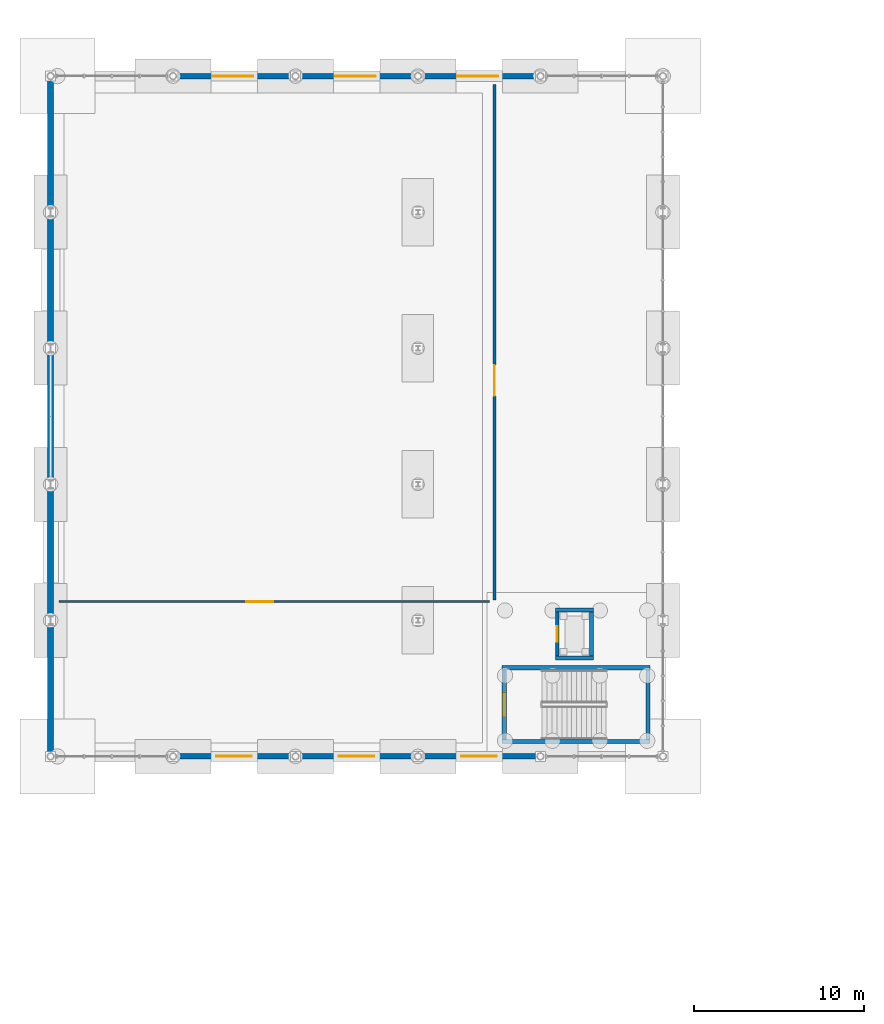
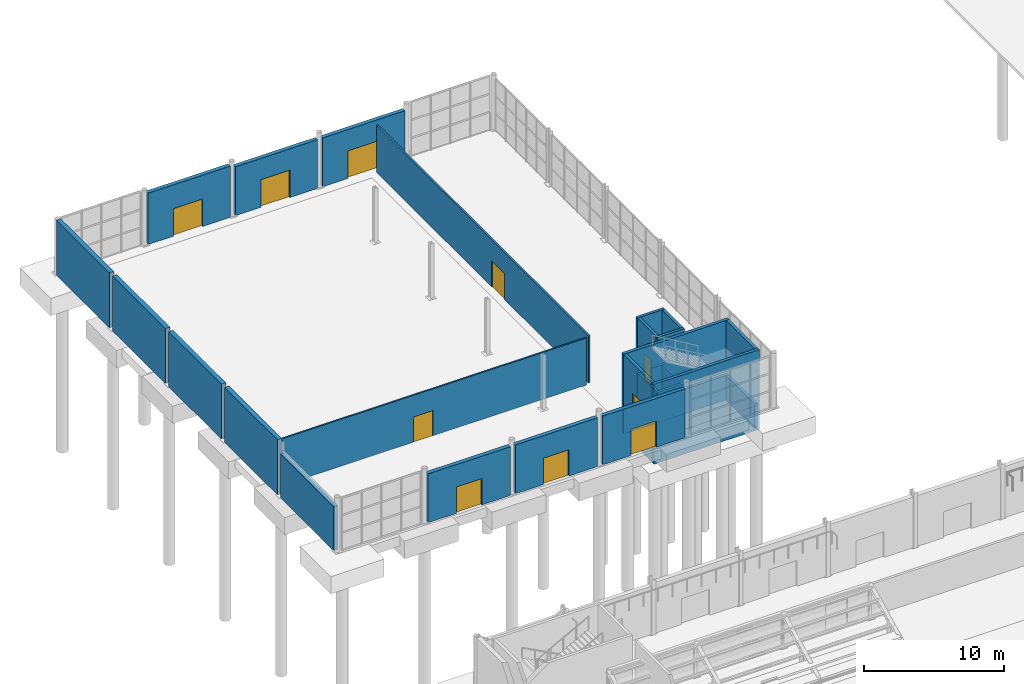
# One storey, part 78 of 101: 29 walls, 10 doors, 10 openings.
"""IFC4 building model written with IfcOpenShell, lengths in metres."""

import ifcopenshell
import ifcopenshell.guid

model = None  # the IFC model being written
_history = None  # IfcOwnerHistory: only IFC2X3 demands one
_inside = {}  # id of a spatial element -> (the spatial element, [elements in it])
_under = {}  # id of a project, library or spatial element -> (it, [spatial elements below it])
_declared = {}  # id of a project -> (the project, [libraries it declares])
_typed = {}  # id of a type object -> (the type object, [elements of that type])
_made_of = {}  # id of a material, layer set ... -> (it, [elements and type objects made of it])


def new_model(schema):
    """Start an empty IFC model of exactly this schema.

    Asked for "IFC4X3", IfcOpenShell would pick the latest addendum, in which some entities
    have other attributes; the version numbers below select the first issue.
    IFC2X3 requires an IfcOwnerHistory on every rooted entity: one is made here for all.
    """
    global model, _history
    if schema == "IFC4X3":
        model = ifcopenshell.file(schema_version=(4, 3, 0, 0))
    else:
        model = ifcopenshell.file(schema=schema)
    _inside.clear()
    _under.clear()
    _declared.clear()
    _typed.clear()
    _made_of.clear()
    _history = None
    if model.schema == "IFC2X3":
        org = make("IfcOrganization", Name="unknown")
        user = make(
            "IfcPersonAndOrganization",
            ThePerson=make("IfcPerson", FamilyName="unknown"),
            TheOrganization=org,
        )
        app = make(
            "IfcApplication",
            ApplicationDeveloper=org,
            Version="unknown",
            ApplicationFullName="unknown",
            ApplicationIdentifier="unknown",
        )
        _history = make(
            "IfcOwnerHistory",
            OwningUser=user,
            OwningApplication=app,
            ChangeAction="ADDED",
            CreationDate=0,
        )
    return model


def make(cls, **values):
    """One entity of the class cls with the attributes given. An attribute that is None is left unset."""
    return model.create_entity(
        cls, **{name: value for name, value in values.items() if value is not None}
    )


def rooted(cls, **values):
    """An entity with a GlobalId (a new one), such as an element, a storey or a relation."""
    return make(cls, GlobalId=ifcopenshell.guid.new(), OwnerHistory=_history, **values)


def si_unit(unit_type, name, prefix=None):
    """IfcSIUnit, for example si_unit("LENGTHUNIT", "METRE", prefix="MILLI")."""
    return make("IfcSIUnit", UnitType=unit_type, Prefix=prefix, Name=name)


def derived_unit(unit_type, elements):
    """IfcDerivedUnit: a product of units, each with its exponent."""
    return make(
        "IfcDerivedUnit",
        Elements=[
            make("IfcDerivedUnitElement", Unit=unit, Exponent=power)
            for unit, power in elements
        ],
        UnitType=unit_type,
    )


def assignment(units):
    """IfcUnitAssignment: the units of a project."""
    return None if units is None else make("IfcUnitAssignment", Units=units)


def point(xyz):
    """IfcCartesianPoint."""
    return None if xyz is None else make("IfcCartesianPoint", Coordinates=xyz)


def direction(xyz):
    """IfcDirection."""
    return None if xyz is None else make("IfcDirection", DirectionRatios=xyz)


def frame(location, z_axis=None, x_axis=None):
    """IfcAxis2Placement3D, a coordinate frame: its origin and axes. An axis left out is left unset."""
    return make(
        "IfcAxis2Placement3D",
        Location=point(location),
        Axis=direction(z_axis),
        RefDirection=direction(x_axis),
    )


def frame_2d(location, x_axis=None):
    """IfcAxis2Placement2D, a coordinate frame in the plane: its origin and x axis."""
    return make(
        "IfcAxis2Placement2D", Location=point(location), RefDirection=direction(x_axis)
    )


def origin():
    """The frame at (0, 0, 0) with its axes left unset."""
    return frame((0.0, 0.0, 0.0))


def place(relative_to, where):
    """IfcLocalPlacement: puts the frame where relative to a parent placement (None: the world)."""
    return make(
        "IfcLocalPlacement", PlacementRelTo=relative_to, RelativePlacement=where
    )


def context(
    kind, dimensions, precision=None, world=None, true_north=None, identifier=None
):
    """IfcGeometricRepresentationContext, for example the 3D "Model" context."""
    return make(
        "IfcGeometricRepresentationContext",
        ContextIdentifier=identifier,
        ContextType=kind,
        CoordinateSpaceDimension=dimensions,
        Precision=precision,
        WorldCoordinateSystem=world,
        TrueNorth=true_north,
    )


def subcontext(parent, identifier, kind, view, scale=None):
    """IfcGeometricRepresentationSubContext, for example "Body" below "Model"."""
    return make(
        "IfcGeometricRepresentationSubContext",
        ContextIdentifier=identifier,
        ContextType=kind,
        ParentContext=parent,
        TargetScale=scale,
        TargetView=view,
    )


def project(units=None, contexts=None):
    """IfcProject with its units and contexts."""
    return rooted(
        "IfcProject",
        Name="project",
        RepresentationContexts=contexts,
        UnitsInContext=assignment(units),
    )


def spatial(cls, under=None, at=None, **own):
    """A site, building, storey or space (cls), placed at a placement, below another one or the project."""
    s = rooted(cls, ObjectPlacement=at, **own)
    if under is not None:
        _under.setdefault(under.id(), (under, []))[1].append(s)
    return s


def profile(cls, at=None, kind="AREA", **sizes):
    """A parametric profile (cls). Its sizes go by their IFC names, for example OverallWidth=200.0."""
    return make(cls, ProfileType=kind, Position=at, **sizes)


def rectangle(**sizes):
    """IfcRectangleProfileDef."""
    return profile("IfcRectangleProfileDef", **sizes)


def extrude(swept, where, along, depth):
    """IfcExtrudedAreaSolid: the profile swept, set in the frame where, extruded along a direction by depth."""
    return make(
        "IfcExtrudedAreaSolid",
        SweptArea=swept,
        Position=where,
        ExtrudedDirection=direction(along),
        Depth=depth,
    )


def shape(context_of_items, identifier, shape_type, items):
    """IfcShapeRepresentation: the items that make up one representation, for example the "Body"."""
    return make(
        "IfcShapeRepresentation",
        ContextOfItems=context_of_items,
        RepresentationIdentifier=identifier,
        RepresentationType=shape_type,
        Items=items,
    )


def material(Name=None, Category=None):
    """IfcMaterial."""
    return make("IfcMaterial", Name=Name, Category=Category)


def layer(
    of_material, thickness, ventilated=None, Name=None, Category=None, Priority=None
):
    """IfcMaterialLayer: one layer of a wall or slab, of a material (None: an air gap)."""
    return make(
        "IfcMaterialLayer",
        Material=of_material,
        LayerThickness=thickness,
        IsVentilated=ventilated,
        Name=Name,
        Category=Category,
        Priority=Priority,
    )


def layer_set(layers, Name=None):
    """IfcMaterialLayerSet."""
    return make("IfcMaterialLayerSet", MaterialLayers=layers, LayerSetName=Name)


def made_of(thing, what):
    """Note that an element or type object is made of a material, layer set ...; save() writes the relation."""
    if what is not None:
        _made_of.setdefault(what.id(), (what, []))[1].append(thing)
    return thing


def type_object(cls, material=None, **own):
    """A type object (cls), such as IfcWallType, which elements share."""
    return made_of(rooted(cls, **own), material)


def element(
    cls,
    number,
    at=None,
    inside=None,
    cuts=None,
    type_object=None,
    material=None,
    context=None,
    identifier="Body",
    shape_type=None,
    held_by="IfcProductDefinitionShape",
    body=None,
    shapes=None,
    **own,
):
    """One element of the class cls, such as IfcWall. Its Tag is "e" and its number.

    at: its placement. inside: the storey or other place that contains it. cuts: it is an
    opening in that element (IfcRelVoidsElement). A single representation is given by context,
    identifier, shape_type and body (its items); several are given by shapes. held_by: the class
    of the entity that holds the representations. save() writes the other relations.
    """
    e = rooted(cls, Tag="e%d" % number, ObjectPlacement=at, **own)
    if body is not None:
        shapes = [shape(context, identifier, shape_type, body)]
    if shapes is not None:
        e.Representation = make(held_by, Representations=shapes)
    if inside is not None:
        _inside.setdefault(inside.id(), (inside, []))[1].append(e)
    if cuts is not None:
        rooted(
            "IfcRelVoidsElement", RelatingBuildingElement=cuts, RelatedOpeningElement=e
        )
    if type_object is not None:
        _typed.setdefault(type_object.id(), (type_object, []))[1].append(e)
    return made_of(e, material)


def fill(opening, filler):
    """IfcRelFillsElement: the door or window that sits in an opening."""
    return rooted(
        "IfcRelFillsElement",
        RelatingOpeningElement=opening,
        RelatedBuildingElement=filler,
    )


def aggregate(whole, parts):
    """IfcRelAggregates: a whole, such as a stair, and the parts it consists of."""
    return rooted("IfcRelAggregates", RelatingObject=whole, RelatedObjects=parts)


def save(model, path):
    """Write the relations noted so far, then the file.

    IfcRelAggregates (storeys below a building ...), IfcRelContainedInSpatialStructure (elements
    in a storey), IfcRelDefinesByType, IfcRelAssociatesMaterial and IfcRelDeclares: one each for
    every whole, place, type object, material and project.
    """
    for whole, parts in _under.values():
        aggregate(whole, parts)
    for where, things in _inside.values():
        rooted(
            "IfcRelContainedInSpatialStructure",
            RelatedElements=things,
            RelatingStructure=where,
        )
    for kind, things in _typed.values():
        rooted("IfcRelDefinesByType", RelatedObjects=things, RelatingType=kind)
    for what, things in _made_of.values():
        rooted("IfcRelAssociatesMaterial", RelatedObjects=things, RelatingMaterial=what)
    for by, libraries in _declared.values():
        rooted("IfcRelDeclares", RelatingContext=by, RelatedDefinitions=libraries)
    model.write(path)


model = new_model("IFC4")

# Units and contexts
model_context = context("Model", 3, precision=1e-05, world=origin(), true_north=direction((0.0, 1.0)))
body_context = subcontext(model_context, "Body", "Model", "MODEL_VIEW")
ifc_project = project(units=[si_unit("LENGTHUNIT", "METRE"), si_unit("AREAUNIT", "SQUARE_METRE"), si_unit("VOLUMEUNIT", "CUBIC_METRE"), si_unit("PLANEANGLEUNIT", "RADIAN"), si_unit("MASSUNIT", "GRAM", prefix="KILO"), derived_unit("THERMALTRANSMITTANCEUNIT", [(si_unit("POWERUNIT", "WATT"), 1), (si_unit("LENGTHUNIT", "METRE"), -2), (si_unit("THERMODYNAMICTEMPERATUREUNIT", "KELVIN"), -1)])], contexts=[model_context])

# Site, building, storey
site_placement = place(None, origin())
site = spatial("IfcSite", under=ifc_project, at=site_placement, CompositionType="ELEMENT")
building_placement = place(site_placement, origin())
building = spatial("IfcBuilding", under=site, at=building_placement, Name="Keldorne Ridge Multi-Sports Centre", CompositionType="ELEMENT")
storey_placement = place(building_placement, origin())
storey = spatial("IfcBuildingStorey", under=building, at=storey_placement, Name="L00", CompositionType="ELEMENT", Elevation=0.0)

# Wall, opening, door
ifc_material_1 = material(Name="Precast concrete C40/50", Category="concrete")
ifc_layer_1 = layer(ifc_material_1, 0.320068359375)
ifc_layer_set_1 = layer_set([ifc_layer_1], Name="Precast concrete C40/50")
wall_type_1 = type_object("IfcWallType", Name="WAL-PR-W1", PredefinedType="STANDARD", material=ifc_layer_set_1)
wall_1_placement = place(storey_placement, frame((13.4052734375, 74.0, 0.0), z_axis=(0.0, 0.0, 1.0), x_axis=(1.0, 0.0, 0.0)))
wall_1 = element("IfcWall", 1, at=wall_1_placement, inside=storey, type_object=wall_type_1, Name="Climbing Hall south courtyard wall 2", PredefinedType="STANDARD", context=body_context, shape_type="SweptSolid", body=[
    extrude(rectangle(XDim=6.78955078125, YDim=0.320068359375, at=frame_2d((3.394775390625, 0.0))), origin(), (0.0, 0.0, 1.0), 4.260009765625),
])
opening_1_placement = place(wall_1_placement, frame((2.334716796875, 0.0, 0.0)))
opening_1 = element("IfcOpeningElement", 2, at=opening_1_placement, cuts=wall_1, Name="Opening ED-08", PredefinedType="OPENING", context=body_context, shape_type="SweptSolid", body=[
    extrude(rectangle(XDim=2.10009765625, YDim=2.300048828125, at=frame_2d((1.050048828125, 1.14990234375))), frame((0.0, 0.169921875, 0.0), z_axis=(0.0, -1.0, 0.0), x_axis=(1.0, 0.0, 0.0)), (0.0, 0.0, 1.0), 0.340087890625),
])
ifc_material_2 = material(Name="Galvanized steel", Category="steel")
door_type_1 = type_object("IfcDoorType", Name="DR-ED-08", OperationType="NOTDEFINED", PredefinedType="DOOR", material=ifc_material_2)
door_1_placement = place(opening_1_placement, origin())
door_1 = element("IfcDoor", 3, at=door_1_placement, inside=storey, type_object=door_type_1, Name="Climbing courtyard double exit door 2", OperationType="DOUBLE_DOOR_SINGLE_SWING", OverallHeight=2.300048828125, OverallWidth=2.10009765625, PredefinedType="DOOR", context=body_context, shape_type="SweptSolid", body=[
    extrude(rectangle(XDim=2.10009765625, YDim=2.300048828125, at=frame_2d((1.050048828125, 1.14990234375))), frame((0.0, 0.02490234375, 0.0), z_axis=(0.0, -1.0, 0.0), x_axis=(1.0, 0.0, 0.0)), (0.0, 0.0, 1.0), 0.050048828125),
])
fill(opening_1, door_1)

wall_2_placement = place(storey_placement, frame((20.19482421875, 114.0, 0.0), z_axis=(0.0, 0.0, 1.0), x_axis=(-1.0, 0.0, 0.0)))
wall_2 = element("IfcWall", 4, at=wall_2_placement, inside=storey, type_object=wall_type_1, Name="Climbing Hall north entrance wall 2", PredefinedType="STANDARD", context=body_context, shape_type="SweptSolid", body=[
    extrude(rectangle(XDim=6.78955078125, YDim=0.320068359375, at=frame_2d((3.394775390625, 0.0))), origin(), (0.0, 0.0, 1.0), 4.47998046875),
])
opening_2_placement = place(wall_2_placement, frame((2.284912109375, 0.0, 0.0)))
opening_2 = element("IfcOpeningElement", 5, at=opening_2_placement, cuts=wall_2, Name="Opening ED-01", PredefinedType="OPENING", context=body_context, shape_type="SweptSolid", body=[
    extrude(rectangle(XDim=2.39990234375, YDim=2.39990234375, at=frame_2d((1.199951171875, 1.199951171875))), frame((0.0, 0.169921875, 0.0), z_axis=(0.0, -1.0, 0.0), x_axis=(1.0, 0.0, 0.0)), (0.0, 0.0, 1.0), 0.340087890625),
])
ifc_material_3 = material(Name="Anodized aluminium", Category="aluminium")
door_type_2 = type_object("IfcDoorType", Name="DR-ED-01", OperationType="NOTDEFINED", PredefinedType="DOOR", material=ifc_material_3)
door_2_placement = place(opening_2_placement, origin())
door_2 = element("IfcDoor", 6, at=door_2_placement, inside=storey, type_object=door_type_2, Name="Climbing north double exit door 2", OperationType="DOUBLE_DOOR_SINGLE_SWING", OverallHeight=2.39990234375, OverallWidth=2.39990234375, PredefinedType="DOOR", context=body_context, shape_type="SweptSolid", body=[
    extrude(rectangle(XDim=2.39990234375, YDim=2.39990234375, at=frame_2d((1.199951171875, 1.199951171875))), frame((0.0, 0.02490234375, 0.0), z_axis=(0.0, -1.0, 0.0), x_axis=(1.0, 0.0, 0.0)), (0.0, 0.0, 1.0), 0.050048828125),
])
fill(opening_2, door_2)

wall_3_placement = place(storey_placement, frame((20.605224609375, 74.0, 0.0), z_axis=(0.0, 0.0, 1.0), x_axis=(1.0, 0.0, 0.0)))
wall_3 = element("IfcWall", 7, at=wall_3_placement, inside=storey, type_object=wall_type_1, Name="Climbing Hall south courtyard wall 3", PredefinedType="STANDARD", context=body_context, shape_type="SweptSolid", body=[
    extrude(rectangle(XDim=6.78955078125, YDim=0.320068359375, at=frame_2d((3.394775390625, 0.0))), origin(), (0.0, 0.0, 1.0), 4.260009765625),
])
opening_3_placement = place(wall_3_placement, frame((2.334716796875, 0.0, 0.0)))
opening_3 = element("IfcOpeningElement", 8, at=opening_3_placement, cuts=wall_3, Name="Opening ED-08", PredefinedType="OPENING", context=body_context, shape_type="SweptSolid", body=[
    extrude(rectangle(XDim=2.10009765625, YDim=2.300048828125, at=frame_2d((1.050048828125, 1.14990234375))), frame((0.0, 0.169921875, 0.0), z_axis=(0.0, -1.0, 0.0), x_axis=(1.0, 0.0, 0.0)), (0.0, 0.0, 1.0), 0.340087890625),
])
door_3_placement = place(opening_3_placement, origin())
door_3 = element("IfcDoor", 9, at=door_3_placement, inside=storey, type_object=door_type_1, Name="Climbing courtyard double exit door 3", OperationType="DOUBLE_DOOR_SINGLE_SWING", OverallHeight=2.300048828125, OverallWidth=2.10009765625, PredefinedType="DOOR", context=body_context, shape_type="SweptSolid", body=[
    extrude(rectangle(XDim=2.10009765625, YDim=2.300048828125, at=frame_2d((1.050048828125, 1.14990234375))), frame((0.0, 0.02490234375, 0.0), z_axis=(0.0, -1.0, 0.0), x_axis=(1.0, 0.0, 0.0)), (0.0, 0.0, 1.0), 0.050048828125),
])
fill(opening_3, door_3)

wall_4_placement = place(storey_placement, frame((27.394775390625, 114.0, 0.0), z_axis=(0.0, 0.0, 1.0), x_axis=(-1.0, 0.0, 0.0)))
wall_4 = element("IfcWall", 10, at=wall_4_placement, inside=storey, type_object=wall_type_1, Name="Climbing Hall north entrance wall 3", PredefinedType="STANDARD", context=body_context, shape_type="SweptSolid", body=[
    extrude(rectangle(XDim=6.78955078125, YDim=0.320068359375, at=frame_2d((3.394775390625, 0.0))), origin(), (0.0, 0.0, 1.0), 4.260009765625),
])
opening_4_placement = place(wall_4_placement, frame((2.284912109375, 0.0, 0.0)))
opening_4 = element("IfcOpeningElement", 11, at=opening_4_placement, cuts=wall_4, Name="Opening ED-01", PredefinedType="OPENING", context=body_context, shape_type="SweptSolid", body=[
    extrude(rectangle(XDim=2.39990234375, YDim=2.39990234375, at=frame_2d((1.199951171875, 1.199951171875))), frame((0.0, 0.169921875, 0.0), z_axis=(0.0, -1.0, 0.0), x_axis=(1.0, 0.0, 0.0)), (0.0, 0.0, 1.0), 0.340087890625),
])
door_4_placement = place(opening_4_placement, origin())
door_4 = element("IfcDoor", 12, at=door_4_placement, inside=storey, type_object=door_type_2, Name="Climbing north double exit door 3", OperationType="DOUBLE_DOOR_SINGLE_SWING", OverallHeight=2.39990234375, OverallWidth=2.39990234375, PredefinedType="DOOR", context=body_context, shape_type="SweptSolid", body=[
    extrude(rectangle(XDim=2.39990234375, YDim=2.39990234375, at=frame_2d((1.199951171875, 1.199951171875))), frame((0.0, 0.02490234375, 0.0), z_axis=(0.0, -1.0, 0.0), x_axis=(1.0, 0.0, 0.0)), (0.0, 0.0, 1.0), 0.050048828125),
])
fill(opening_4, door_4)

wall_5_placement = place(storey_placement, frame((27.80517578125, 74.0, 0.0), z_axis=(0.0, 0.0, 1.0), x_axis=(1.0, 0.0, 0.0)))
wall_5 = element("IfcWall", 13, at=wall_5_placement, inside=storey, type_object=wall_type_1, Name="Climbing Hall south courtyard wall 4", PredefinedType="STANDARD", context=body_context, shape_type="SweptSolid", body=[
    extrude(rectangle(XDim=6.78955078125, YDim=0.320068359375, at=frame_2d((3.394775390625, 0.0))), origin(), (0.0, 0.0, 1.0), 4.260009765625),
])
opening_5_placement = place(wall_5_placement, frame((2.334716796875, 0.0, 0.0)))
opening_5 = element("IfcOpeningElement", 14, at=opening_5_placement, cuts=wall_5, Name="Opening ED-08", PredefinedType="OPENING", context=body_context, shape_type="SweptSolid", body=[
    extrude(rectangle(XDim=2.10009765625, YDim=2.300048828125, at=frame_2d((1.050048828125, 1.14990234375))), frame((0.0, 0.169921875, 0.0), z_axis=(0.0, -1.0, 0.0), x_axis=(1.0, 0.0, 0.0)), (0.0, 0.0, 1.0), 0.340087890625),
])
door_5_placement = place(opening_5_placement, origin())
door_5 = element("IfcDoor", 15, at=door_5_placement, inside=storey, type_object=door_type_1, Name="Climbing courtyard double exit door 4", OperationType="DOUBLE_DOOR_SINGLE_SWING", OverallHeight=2.300048828125, OverallWidth=2.10009765625, PredefinedType="DOOR", context=body_context, shape_type="SweptSolid", body=[
    extrude(rectangle(XDim=2.10009765625, YDim=2.300048828125, at=frame_2d((1.050048828125, 1.14990234375))), frame((0.0, 0.02490234375, 0.0), z_axis=(0.0, -1.0, 0.0), x_axis=(1.0, 0.0, 0.0)), (0.0, 0.0, 1.0), 0.050048828125),
])
fill(opening_5, door_5)

wall_6_placement = place(storey_placement, frame((34.5947265625, 114.0, 0.0), z_axis=(0.0, 0.0, 1.0), x_axis=(-1.0, 0.0, 0.0)))
wall_6 = element("IfcWall", 16, at=wall_6_placement, inside=storey, type_object=wall_type_1, Name="Climbing Hall north entrance wall 4", PredefinedType="STANDARD", context=body_context, shape_type="SweptSolid", body=[
    extrude(rectangle(XDim=6.78955078125, YDim=0.320068359375, at=frame_2d((3.394775390625, 0.0))), origin(), (0.0, 0.0, 1.0), 4.260009765625),
])
opening_6_placement = place(wall_6_placement, frame((2.284912109375, 0.0, 0.0)))
opening_6 = element("IfcOpeningElement", 17, at=opening_6_placement, cuts=wall_6, Name="Opening ED-01", PredefinedType="OPENING", context=body_context, shape_type="SweptSolid", body=[
    extrude(rectangle(XDim=2.39990234375, YDim=2.39990234375, at=frame_2d((1.199951171875, 1.199951171875))), frame((0.0, 0.169921875, 0.0), z_axis=(0.0, -1.0, 0.0), x_axis=(1.0, 0.0, 0.0)), (0.0, 0.0, 1.0), 0.340087890625),
])
door_6_placement = place(opening_6_placement, origin())
door_6 = element("IfcDoor", 18, at=door_6_placement, inside=storey, type_object=door_type_2, Name="Climbing north double exit door 4", OperationType="DOUBLE_DOOR_SINGLE_SWING", OverallHeight=2.39990234375, OverallWidth=2.39990234375, PredefinedType="DOOR", context=body_context, shape_type="SweptSolid", body=[
    extrude(rectangle(XDim=2.39990234375, YDim=2.39990234375, at=frame_2d((1.199951171875, 1.199951171875))), frame((0.0, 0.02490234375, 0.0), z_axis=(0.0, -1.0, 0.0), x_axis=(1.0, 0.0, 0.0)), (0.0, 0.0, 1.0), 0.050048828125),
])
fill(opening_6, door_6)

# Walls
ifc_layer_2 = layer(ifc_material_1, 0.360107421875)
ifc_layer_set_2 = layer_set([ifc_layer_2], Name="Precast concrete C40/50")
wall_type_2 = type_object("IfcWallType", Name="WAL-PR-W2", PredefinedType="STANDARD", material=ifc_layer_set_2)
wall_7_placement = place(storey_placement, frame((6.0, 81.77294921875, 0.0), z_axis=(0.0, 0.0, 1.0), x_axis=(0.0, -1.0, 0.0)))
element("IfcWall", 19, at=wall_7_placement, inside=storey, type_object=wall_type_2, Name="Climbing Hall west climbing wall L00.1", PredefinedType="STANDARD", context=body_context, shape_type="SweptSolid", body=[
    extrude(rectangle(XDim=7.56787109375, YDim=0.360107421875, at=frame_2d((3.783935546875, 0.0))), origin(), (0.0, 0.0, 1.0), 3.830078125),
])
for number, where, z_axis, x_axis, name in (
    (20, (6.0, 89.77294921875, 0.0), (0.0, 0.0, 1.0), (0.0, -1.0, 0.0), "Climbing Hall west climbing wall L00.2"),
    (21, (6.0, 97.77294921875, 0.0), (0.0, 0.0, 1.0), (0.0, -1.0, 0.0), "Climbing Hall west climbing wall L00.3"),
    (22, (6.0, 105.77294921875, 0.0), (0.0, 0.0, 1.0), (0.0, -1.0, 0.0), "Climbing Hall west climbing wall L00.4"),
):
    element("IfcWall", number, at=place(storey_placement, frame(where, z_axis=z_axis, x_axis=x_axis)), inside=storey, type_object=wall_type_2, Name=name, PredefinedType="STANDARD", context=body_context, shape_type="SweptSolid", body=[
        extrude(rectangle(XDim=7.5458984375, YDim=0.360107421875, at=frame_2d((3.77294921875, 0.0))), origin(), (0.0, 0.0, 1.0), 4.800048828125),
    ])
wall_8_placement = place(storey_placement, frame((6.0, 113.794921875, 0.0), z_axis=(0.0, 0.0, 1.0), x_axis=(0.0, -1.0, 0.0)))
element("IfcWall", 23, at=wall_8_placement, inside=storey, type_object=wall_type_2, Name="Climbing Hall west climbing wall L00.5", PredefinedType="STANDARD", context=body_context, shape_type="SweptSolid", body=[
    extrude(rectangle(XDim=7.56787109375, YDim=0.360107421875, at=frame_2d((3.783935546875, 0.0))), origin(), (0.0, 0.0, 1.0), 4.800048828125),
])

# Wall, opening, door
ifc_material_4 = material(Name="Acoustic metal stud plasterboard")
ifc_layer_3 = layer(ifc_material_4, 0.125)
ifc_layer_set_3 = layer_set([ifc_layer_3])
wall_type_3 = type_object("IfcWallType", Name="WAL-PT-01", PredefinedType="PARTITIONING", material=ifc_layer_set_3)
wall_9_placement = place(storey_placement, frame((6.5, 83.10009765625, 0.0), z_axis=(0.0, 0.0, 1.0), x_axis=(1.0, 0.0, 0.0)))
wall_9 = element("IfcWall", 24, at=wall_9_placement, inside=storey, type_object=wall_type_3, Name="Bouldering to Lead Climbing divider IW-L00-023", PredefinedType="PARTITIONING", context=body_context, shape_type="SweptSolid", body=[
    extrude(rectangle(XDim=25.300048828125, YDim=0.125, at=frame_2d((12.64990234375, 0.0))), origin(), (0.0, 0.0, 1.0), 4.10009765625),
])
opening_7_placement = place(wall_9_placement, frame((11.0, 0.0, 0.0)))
opening_7 = element("IfcOpeningElement", 25, at=opening_7_placement, cuts=wall_9, Name="Opening D-04", PredefinedType="OPENING", context=body_context, shape_type="SweptSolid", body=[
    extrude(rectangle(XDim=1.60009765625, YDim=2.199951171875, at=frame_2d((0.800048828125, 1.10009765625))), frame((0.0, 0.072509765625, 0.0), z_axis=(0.0, -1.0, 0.0), x_axis=(1.0, 0.0, 0.0)), (0.0, 0.0, 1.0), 0.14501953125),
])
ifc_material_5 = material(Name="Timber fire-resisting pair", Category="wood")
door_type_3 = type_object("IfcDoorType", Name="DR-D-04", OperationType="NOTDEFINED", PredefinedType="DOOR", material=ifc_material_5)
door_7_placement = place(opening_7_placement, origin())
door_7 = element("IfcDoor", 26, at=door_7_placement, inside=storey, type_object=door_type_3, Name="Bouldering to Lead Climbing hall door D-083", OperationType="DOUBLE_DOOR_SINGLE_SWING", OverallHeight=2.199951171875, OverallWidth=1.60009765625, PredefinedType="DOOR", context=body_context, shape_type="SweptSolid", body=[
    extrude(rectangle(XDim=1.60009765625, YDim=2.199951171875, at=frame_2d((0.800048828125, 1.10009765625))), frame((0.0, 0.02490234375, 0.0), z_axis=(0.0, -1.0, 0.0), x_axis=(1.0, 0.0, 0.0)), (0.0, 0.0, 1.0), 0.050048828125),
])
fill(opening_7, door_7)

ifc_material_6 = material(Name="Fire-rated twin stud plasterboard")
ifc_layer_4 = layer(ifc_material_6, 0.14990234375)
ifc_layer_set_4 = layer_set([ifc_layer_4])
wall_type_4 = type_object("IfcWallType", Name="WAL-PT-02", PredefinedType="PARTITIONING", material=ifc_layer_set_4)
wall_10_placement = place(storey_placement, frame((32.10009765625, 83.199951171875, 0.0), z_axis=(0.0, 0.0, 1.0), x_axis=(0.0, 1.0, 0.0)))
wall_10 = element("IfcWall", 27, at=wall_10_placement, inside=storey, type_object=wall_type_4, Name="Climbing equipment store wall IW-L00-024", PredefinedType="PARTITIONING", context=body_context, shape_type="SweptSolid", body=[
    extrude(rectangle(XDim=30.300048828125, YDim=0.14990234375, at=frame_2d((15.14990234375, 0.0))), origin(), (0.0, 0.0, 1.0), 4.10009765625),
])
opening_8_placement = place(wall_10_placement, frame((12.0, 0.0, 0.0)))
opening_8 = element("IfcOpeningElement", 28, at=opening_8_placement, cuts=wall_10, Name="Opening D-06", PredefinedType="OPENING", context=body_context, shape_type="SweptSolid", body=[
    extrude(rectangle(XDim=1.800048828125, YDim=2.25, at=frame_2d((0.89990234375, 1.125))), frame((0.0, 0.0849609375, 0.0), z_axis=(0.0, -1.0, 0.0), x_axis=(1.0, 0.0, 0.0)), (0.0, 0.0, 1.0), 0.169921875),
])
ifc_material_7 = material(Name="Steel acoustic pair", Category="steel")
door_type_4 = type_object("IfcDoorType", Name="DR-D-06", OperationType="NOTDEFINED", PredefinedType="DOOR", material=ifc_material_7)
door_8_placement = place(opening_8_placement, origin())
door_8 = element("IfcDoor", 29, at=door_8_placement, inside=storey, type_object=door_type_4, Name="Climbing equipment store double door D-084", OperationType="DOUBLE_DOOR_SINGLE_SWING", OverallHeight=2.25, OverallWidth=1.800048828125, PredefinedType="DOOR", context=body_context, shape_type="SweptSolid", body=[
    extrude(rectangle(XDim=1.800048828125, YDim=2.25, at=frame_2d((0.89990234375, 1.125))), frame((0.0, 0.02490234375, 0.0), z_axis=(0.0, -1.0, 0.0), x_axis=(1.0, 0.0, 0.0)), (0.0, 0.0, 1.0), 0.050048828125),
])
fill(opening_8, door_8)

# Walls
ifc_material_8 = material(Name="Concrete C40/50", Category="concrete")
ifc_layer_5 = layer(ifc_material_8, 0.25)
ifc_layer_set_5 = layer_set([ifc_layer_5], Name="Concrete C40/50")
wall_type_5 = type_object("IfcWallType", Name="WAL-SW01", PredefinedType="SHEAR", material=ifc_layer_set_5)
for number, where, z_axis, x_axis, name in (
    (30, (32.675048828125, 75.0, -2.14990234375), (0.0, 0.0, 1.0), (0.0, 1.0, 0.0), "Stair ST-06 foundation stem wall NEAR"),
    (31, (41.125, 79.080078125, -2.14990234375), (0.0, 0.0, 1.0), (0.0, -1.0, 0.0), "Stair ST-06 foundation stem wall FAR"),
):
    element("IfcWall", number, at=place(storey_placement, frame(where, z_axis=z_axis, x_axis=x_axis)), inside=storey, type_object=wall_type_5, Name=name, PredefinedType="SHEAR", context=body_context, shape_type="SweptSolid", body=[
        extrude(rectangle(XDim=4.080078125, YDim=0.25, at=frame_2d((2.0400390625, 0.0))), origin(), (0.0, 0.0, 1.0), 2.14990234375),
    ])
for number, where, z_axis, x_axis, name in (
    (32, (32.550048828125, 74.875, -2.14990234375), (0.0, 0.0, 1.0), (1.0, 0.0, 0.0), "Stair ST-06 foundation stem wall SOUTH"),
    (33, (41.25, 79.205078125, -2.14990234375), (0.0, 0.0, 1.0), (-1.0, 0.0, 0.0), "Stair ST-06 foundation stem wall NORTH"),
):
    element("IfcWall", number, at=place(storey_placement, frame(where, z_axis=z_axis, x_axis=x_axis)), inside=storey, type_object=wall_type_5, Name=name, PredefinedType="SHEAR", context=body_context, shape_type="SweptSolid", body=[
        extrude(rectangle(XDim=8.699951171875, YDim=0.25, at=frame_2d((4.35009765625, 0.0))), origin(), (0.0, 0.0, 1.0), 2.14990234375),
    ])

# Wall, opening, door
wall_11_placement = place(storey_placement, frame((32.675048828125, 75.0, 0.0), z_axis=(0.0, 0.0, 1.0), x_axis=(0.0, 1.0, 0.0)))
wall_11 = element("IfcWall", 34, at=wall_11_placement, inside=storey, type_object=wall_type_5, Name="Stair ST-06 shaft wall L00 NEAR", PredefinedType="SHEAR", context=body_context, shape_type="SweptSolid", body=[
    extrude(rectangle(XDim=4.080078125, YDim=0.25, at=frame_2d((2.0400390625, 0.0))), origin(), (0.0, 0.0, 1.0), 4.800048828125),
])
opening_9_placement = place(wall_11_placement, frame((1.31494140625, 0.0, 0.0)))
opening_9 = element("IfcOpeningElement", 35, at=opening_9_placement, cuts=wall_11, Name="Opening D-05", PredefinedType="OPENING", context=body_context, shape_type="SweptSolid", body=[
    extrude(rectangle(XDim=1.449951171875, YDim=2.199951171875, at=frame_2d((0.72509765625, 1.10009765625))), frame((0.0, 0.135009765625, 0.0), z_axis=(0.0, -1.0, 0.0), x_axis=(1.0, 0.0, 0.0)), (0.0, 0.0, 1.0), 0.27001953125),
])
ifc_material_9 = material(Name="Steel fire-resisting pair", Category="steel")
door_type_5 = type_object("IfcDoorType", Name="DR-D-05", OperationType="NOTDEFINED", PredefinedType="DOOR", material=ifc_material_9)
door_9_placement = place(opening_9_placement, origin())
door_9 = element("IfcDoor", 36, at=door_9_placement, inside=storey, type_object=door_type_5, Name="Stair ST-06 L00 fire door D-029", OperationType="DOUBLE_DOOR_SINGLE_SWING", OverallHeight=2.199951171875, OverallWidth=1.449951171875, PredefinedType="DOOR", context=body_context, shape_type="SweptSolid", body=[
    extrude(rectangle(XDim=1.449951171875, YDim=2.199951171875, at=frame_2d((0.72509765625, 1.10009765625))), frame((0.0, 0.02490234375, 0.0), z_axis=(0.0, -1.0, 0.0), x_axis=(1.0, 0.0, 0.0)), (0.0, 0.0, 1.0), 0.050048828125),
])
fill(opening_9, door_9)

# Walls
wall_12_placement = place(storey_placement, frame((41.125, 79.080078125, 0.0), z_axis=(0.0, 0.0, 1.0), x_axis=(0.0, -1.0, 0.0)))
element("IfcWall", 37, at=wall_12_placement, inside=storey, type_object=wall_type_5, Name="Stair ST-06 shaft wall L00 FAR", PredefinedType="SHEAR", context=body_context, shape_type="SweptSolid", body=[
    extrude(rectangle(XDim=4.080078125, YDim=0.25, at=frame_2d((2.0400390625, 0.0))), origin(), (0.0, 0.0, 1.0), 4.800048828125),
])
for number, where, z_axis, x_axis, name in (
    (38, (32.550048828125, 74.875, 0.0), (0.0, 0.0, 1.0), (1.0, 0.0, 0.0), "Stair ST-06 shaft wall L00 SOUTH"),
    (39, (41.25, 79.205078125, 0.0), (0.0, 0.0, 1.0), (-1.0, 0.0, 0.0), "Stair ST-06 shaft wall L00 NORTH"),
):
    element("IfcWall", number, at=place(storey_placement, frame(where, z_axis=z_axis, x_axis=x_axis)), inside=storey, type_object=wall_type_5, Name=name, PredefinedType="SHEAR", context=body_context, shape_type="SweptSolid", body=[
        extrude(rectangle(XDim=8.699951171875, YDim=0.25, at=frame_2d((4.35009765625, 0.0))), origin(), (0.0, 0.0, 1.0), 4.800048828125),
    ])
ifc_layer_6 = layer(ifc_material_8, 0.22998046875)
ifc_layer_set_6 = layer_set([ifc_layer_6], Name="Concrete C40/50")
wall_type_6 = type_object("IfcWallType", Name="WAL-SW02", PredefinedType="SHEAR", material=ifc_layer_set_6)
for number, where, z_axis, x_axis, name in (
    (40, (35.679931640625, 79.7900390625, -2.14990234375), (0.0, 0.0, 1.0), (1.0, 0.0, 0.0), "Lift L-04 pit wall S"),
    (41, (37.919921875, 82.610107421875, -2.14990234375), (0.0, 0.0, 1.0), (-1.0, 0.0, 0.0), "Lift L-04 pit wall N"),
):
    element("IfcWall", number, at=place(storey_placement, frame(where, z_axis=z_axis, x_axis=x_axis)), inside=storey, type_object=wall_type_6, Name=name, PredefinedType="SHEAR", context=body_context, shape_type="SweptSolid", body=[
        extrude(rectangle(XDim=2.239990234375, YDim=0.219970703125, at=frame_2d((1.1201171875, 0.0))), origin(), (0.0, 0.0, 1.0), 2.14990234375),
    ])
for number, where, z_axis, x_axis, name in (
    (42, (35.7900390625, 82.5, -2.14990234375), (0.0, 0.0, 1.0), (0.0, -1.0, 0.0), "Lift L-04 pit wall W"),
    (43, (37.81005859375, 79.89990234375, -2.14990234375), (0.0, 0.0, 1.0), (0.0, 1.0, 0.0), "Lift L-04 pit wall E"),
):
    element("IfcWall", number, at=place(storey_placement, frame(where, z_axis=z_axis, x_axis=x_axis)), inside=storey, type_object=wall_type_6, Name=name, PredefinedType="SHEAR", context=body_context, shape_type="SweptSolid", body=[
        extrude(rectangle(XDim=2.60009765625, YDim=0.219970703125, at=frame_2d((1.300048828125, 0.0))), origin(), (0.0, 0.0, 1.0), 2.14990234375),
    ])
for number, where, z_axis, x_axis, name in (
    (44, (35.679931640625, 79.7900390625, 0.0), (0.0, 0.0, 1.0), (1.0, 0.0, 0.0), "Lift L-04 shaft wall L00 south"),
    (45, (37.919921875, 82.610107421875, 0.0), (0.0, 0.0, 1.0), (-1.0, 0.0, 0.0), "Lift L-04 shaft wall L00 north"),
):
    element("IfcWall", number, at=place(storey_placement, frame(where, z_axis=z_axis, x_axis=x_axis)), inside=storey, type_object=wall_type_6, Name=name, PredefinedType="SHEAR", context=body_context, shape_type="SweptSolid", body=[
        extrude(rectangle(XDim=2.239990234375, YDim=0.219970703125, at=frame_2d((1.1201171875, 0.0))), origin(), (0.0, 0.0, 1.0), 4.800048828125),
    ])

# Wall, opening, door
wall_13_placement = place(storey_placement, frame((35.7900390625, 82.5, 0.0), z_axis=(0.0, 0.0, 1.0), x_axis=(0.0, -1.0, 0.0)))
wall_13 = element("IfcWall", 46, at=wall_13_placement, inside=storey, type_object=wall_type_6, Name="Lift L-04 shaft wall L00 west", PredefinedType="SHEAR", context=body_context, shape_type="SweptSolid", body=[
    extrude(rectangle(XDim=2.60009765625, YDim=0.219970703125, at=frame_2d((1.300048828125, 0.0))), origin(), (0.0, 0.0, 1.0), 4.800048828125),
])
opening_10_placement = place(wall_13_placement, frame((0.85009765625, 0.0, 0.0)))
opening_10 = element("IfcOpeningElement", 47, at=opening_10_placement, cuts=wall_13, Name="Opening LD-02", PredefinedType="OPENING", context=body_context, shape_type="SweptSolid", body=[
    extrude(rectangle(XDim=0.89990234375, YDim=2.14990234375, at=frame_2d((0.449951171875, 1.074951171875))), frame((0.0, 0.1201171875, 0.0), z_axis=(0.0, -1.0, 0.0), x_axis=(1.0, 0.0, 0.0)), (0.0, 0.0, 1.0), 0.239990234375),
])
ifc_material_10 = material(Name="Stainless steel", Category="steel")
door_type_6 = type_object("IfcDoorType", Name="DR-LD-02", OperationType="NOTDEFINED", PredefinedType="DOOR", material=ifc_material_10)
door_10_placement = place(opening_10_placement, origin())
door_10 = element("IfcDoor", 48, at=door_10_placement, inside=storey, type_object=door_type_6, Name="Lift L-04 sliding landing door L00", OperationType="SLIDING_TO_LEFT", OverallHeight=2.14990234375, OverallWidth=0.89990234375, PredefinedType="DOOR", context=body_context, shape_type="SweptSolid", body=[
    extrude(rectangle(XDim=0.89990234375, YDim=2.14990234375, at=frame_2d((0.449951171875, 1.074951171875))), frame((0.0, 0.02490234375, 0.0), z_axis=(0.0, -1.0, 0.0), x_axis=(1.0, 0.0, 0.0)), (0.0, 0.0, 1.0), 0.050048828125),
])
fill(opening_10, door_10)

# Wall
wall_14_placement = place(storey_placement, frame((37.81005859375, 79.89990234375, 0.0), z_axis=(0.0, 0.0, 1.0), x_axis=(0.0, 1.0, 0.0)))
element("IfcWall", 49, at=wall_14_placement, inside=storey, type_object=wall_type_6, Name="Lift L-04 shaft wall L00 east", PredefinedType="SHEAR", context=body_context, shape_type="SweptSolid", body=[
    extrude(rectangle(XDim=2.60009765625, YDim=0.219970703125, at=frame_2d((1.300048828125, 0.0))), origin(), (0.0, 0.0, 1.0), 4.800048828125),
])

save(model, "model.ifc")
